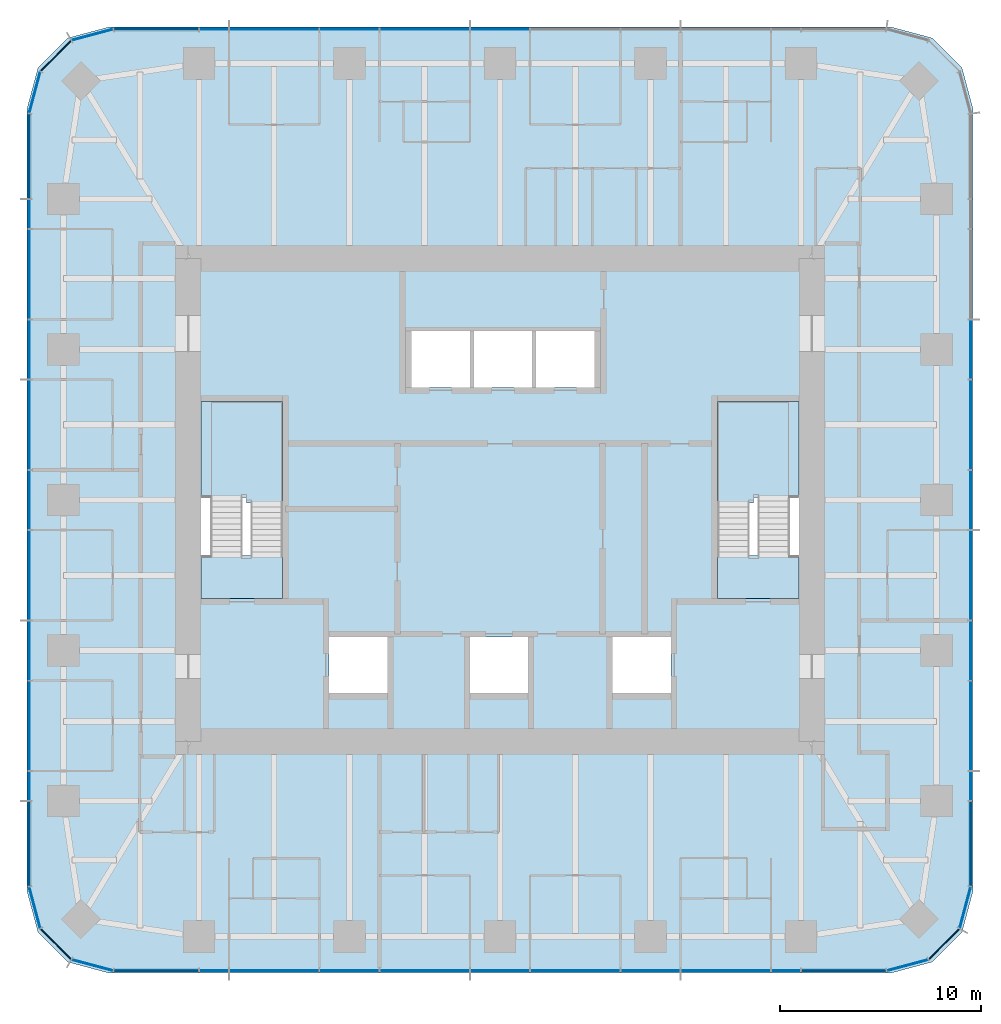
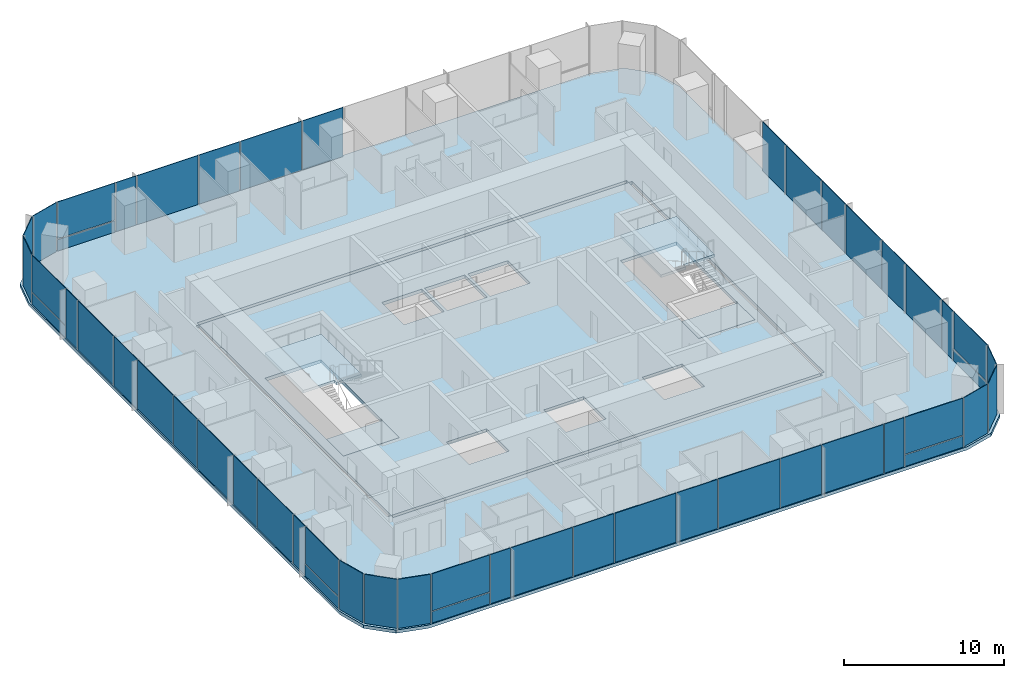
# One storey, part 7 of 12: 51 plates, 6 slabs, 9 elements without a shape of their own.
"""IFC4 building model written with IfcOpenShell, lengths in metres."""

from ifc_helpers import new_model, si_unit, direction, frame, origin, origin_2d, place, context, subcontext, project, spatial, polyline, rectangle, outline, extrude, material, layer, layer_set, type_object, element, aggregate, save


model = new_model("IFC4")

# Units and contexts
model_context = context("Model", 3, precision=1e-05, world=origin(), true_north=direction((0.0, 1.0)))
body_context = subcontext(model_context, "Body", "Model", "MODEL_VIEW")
ifc_project = project(units=[si_unit("LENGTHUNIT", "METRE"), si_unit("AREAUNIT", "SQUARE_METRE"), si_unit("VOLUMEUNIT", "CUBIC_METRE"), si_unit("PLANEANGLEUNIT", "RADIAN"), si_unit("MASSUNIT", "GRAM", prefix="KILO")], contexts=[model_context])

# Site, building, storey
site_placement = place(None, origin())
site = spatial("IfcSite", under=ifc_project, at=site_placement, CompositionType="ELEMENT")
building_placement = place(site_placement, origin())
building = spatial("IfcBuilding", under=site, at=building_placement, Name="Khuree Lantern Residences", CompositionType="ELEMENT")
storey_placement = place(building_placement, frame((0.0, 0.0, 315.75)))
storey = spatial("IfcBuildingStorey", under=building, at=storey_placement, Name="L79", CompositionType="ELEMENT", Elevation=315.75)

# Slab
ifc_material_1 = material(Name="Concrete C35/45", Category="concrete")
ifc_layer_1 = layer(ifc_material_1, 0.25)
ifc_layer_set_1 = layer_set([ifc_layer_1], Name="CFL250 CORE FLOOR SLAB 250")
slab_type_1 = type_object("IfcSlabType", Name="CFL250 CORE FLOOR SLAB 250", PredefinedType="FLOOR", material=ifc_layer_set_1)
slab_1_placement = place(storey_placement, frame((0.0, 0.0, -0.25)))
element("IfcSlab", 1, at=slab_1_placement, inside=storey, type_object=slab_type_1, Name="Core floor L79", PredefinedType="FLOOR", context=body_context, shape_type="SweptSolid", body=[
    extrude(outline(polyline([(-15.5, -12.0), (-15.5, 12.0), (15.5, 12.0), (15.5, -12.0), (-15.5, -12.0)]), holes=[polyline([(10.800048828125, 4.89990234375), (10.800048828125, -4.89990234375), (14.85009765625, -4.89990234375), (14.85009765625, 4.89990234375), (10.800048828125, 4.89990234375)]), polyline([(5.60009765625, -6.800048828125), (5.60009765625, -9.60009765625), (8.5, -9.60009765625), (8.5, -6.800048828125), (5.60009765625, -6.800048828125)]), polyline([(1.800048828125, 8.39990234375), (1.800048828125, 5.60009765625), (4.699951171875, 5.60009765625), (4.699951171875, 8.39990234375), (1.800048828125, 8.39990234375)]), polyline([(-1.300048828125, 8.39990234375), (-1.300048828125, 5.60009765625), (1.60009765625, 5.60009765625), (1.60009765625, 8.39990234375), (-1.300048828125, 8.39990234375)]), polyline([(-1.5, -6.800048828125), (-1.5, -9.60009765625), (1.39990234375, -9.60009765625), (1.39990234375, -6.800048828125), (-1.5, -6.800048828125)]), polyline([(-4.39990234375, 8.39990234375), (-4.39990234375, 5.60009765625), (-1.5, 5.60009765625), (-1.5, 8.39990234375), (-4.39990234375, 8.39990234375)]), polyline([(-8.5, -6.800048828125), (-8.5, -9.60009765625), (-5.60009765625, -9.60009765625), (-5.60009765625, -6.800048828125), (-8.5, -6.800048828125)]), polyline([(-14.85009765625, 4.89990234375), (-14.85009765625, -4.89990234375), (-10.800048828125, -4.89990234375), (-10.800048828125, 4.89990234375), (-14.85009765625, 4.89990234375)])]), origin(), (0.0, 0.0, 1.0), 0.25),
])

# Curtain wall, plates
ifc_material_2 = material(Name="Bronze anodised aluminium", Category="aluminium")
curtain_wall_type_1 = type_object("IfcCurtainWallType", Name="CW-T2 TOWER CORNER CURTAIN WALL", PredefinedType="USERDEFINED", material=ifc_material_2)
curtain_wall_1_placement = place(storey_placement, origin())
curtain_wall_1 = element("IfcCurtainWall", 2, at=curtain_wall_1_placement, inside=storey, type_object=curtain_wall_type_1, Name="L79 SOUTH-EAST CORNER CURTAIN WALL", ObjectType="Faceted corner curtain wall", PredefinedType="USERDEFINED")
ifc_material_3 = material(Name="Bronze tinted triple glazing", Category="glass")
ifc_layer_2 = layer(ifc_material_3, 0.048095703125)
ifc_layer_set_2 = layer_set([ifc_layer_2], Name="FACET PANEL P4")
plate_type_1 = type_object("IfcPlateType", Name="FACET PANEL P4", PredefinedType="CURTAIN_PANEL", material=ifc_layer_set_2)
plate_1_placement = place(storey_placement, frame((20.248046875, -23.119140625, 0.0), z_axis=(0.0, 0.0, 1.0), x_axis=(0.965925861257, 0.2588189146, 0.0)))
plate_1 = element("IfcPlate", 3, at=plate_1_placement, type_object=plate_type_1, Name="L79 SOUTH-EAST CORNER PANEL 1.1", PredefinedType="CURTAIN_PANEL", context=body_context, shape_type="SweptSolid", body=[
    extrude(rectangle(XDim=2.09814453125, YDim=0.048095703125, at=origin_2d()), origin(), (0.0, 0.0, 1.0), 3.75),
])
plate_2_placement = place(storey_placement, frame((22.068603515625, -22.068603515625, 0.0), z_axis=(0.0, 0.0, 1.0), x_axis=(0.707106781187, 0.707106781187, 0.0)))
plate_2 = element("IfcPlate", 4, at=plate_2_placement, type_object=plate_type_1, Name="L79 SOUTH-EAST CORNER PANEL 2.1", PredefinedType="CURTAIN_PANEL", context=body_context, shape_type="SweptSolid", body=[
    extrude(rectangle(XDim=2.093994140625, YDim=0.048095703125, at=origin_2d()), origin(), (0.0, 0.0, 1.0), 3.75),
])
plate_3_placement = place(storey_placement, frame((23.119140625, -20.248046875, 0.0), z_axis=(0.0, 0.0, 1.0), x_axis=(0.2588189146, 0.965925861257, 0.0)))
plate_3 = element("IfcPlate", 5, at=plate_3_placement, type_object=plate_type_1, Name="L79 SOUTH-EAST CORNER PANEL 3.1", PredefinedType="CURTAIN_PANEL", context=body_context, shape_type="SweptSolid", body=[
    extrude(rectangle(XDim=2.09814453125, YDim=0.048095703125, at=origin_2d()), origin(), (0.0, 0.0, 1.0), 3.75),
])
aggregate(curtain_wall_1, [plate_1, plate_2, plate_3])

curtain_wall_2_placement = place(storey_placement, origin())
curtain_wall_2 = element("IfcCurtainWall", 6, at=curtain_wall_2_placement, inside=storey, type_object=curtain_wall_type_1, Name="L79 NORTH-WEST CORNER CURTAIN WALL", ObjectType="Faceted corner curtain wall", PredefinedType="USERDEFINED")
plate_4_placement = place(storey_placement, frame((-20.248046875, 23.119140625, 0.0), z_axis=(0.0, 0.0, 1.0), x_axis=(-0.965925861257, -0.2588189146, 0.0)))
plate_4 = element("IfcPlate", 7, at=plate_4_placement, type_object=plate_type_1, Name="L79 NORTH-WEST CORNER PANEL 29.1", PredefinedType="CURTAIN_PANEL", context=body_context, shape_type="SweptSolid", body=[
    extrude(rectangle(XDim=2.09814453125, YDim=0.048095703125, at=origin_2d()), origin(), (0.0, 0.0, 1.0), 3.75),
])
plate_5_placement = place(storey_placement, frame((-22.068603515625, 22.068603515625, 0.0), z_axis=(0.0, 0.0, 1.0), x_axis=(-0.707106781187, -0.707106781187, 0.0)))
plate_5 = element("IfcPlate", 8, at=plate_5_placement, type_object=plate_type_1, Name="L79 NORTH-WEST CORNER PANEL 30.1", PredefinedType="CURTAIN_PANEL", context=body_context, shape_type="SweptSolid", body=[
    extrude(rectangle(XDim=2.093994140625, YDim=0.048095703125, at=origin_2d()), origin(), (0.0, 0.0, 1.0), 3.75),
])
plate_6_placement = place(storey_placement, frame((-23.119140625, 20.248046875, 0.0), z_axis=(0.0, 0.0, 1.0), x_axis=(-0.2588189146, -0.965925861257, 0.0)))
plate_6 = element("IfcPlate", 9, at=plate_6_placement, type_object=plate_type_1, Name="L79 NORTH-WEST CORNER PANEL 31.1", PredefinedType="CURTAIN_PANEL", context=body_context, shape_type="SweptSolid", body=[
    extrude(rectangle(XDim=2.09814453125, YDim=0.048095703125, at=origin_2d()), origin(), (0.0, 0.0, 1.0), 3.75),
])
aggregate(curtain_wall_2, [plate_4, plate_5, plate_6])

curtain_wall_3_placement = place(storey_placement, origin())
curtain_wall_3 = element("IfcCurtainWall", 10, at=curtain_wall_3_placement, inside=storey, type_object=curtain_wall_type_1, Name="L79 SOUTH-WEST CORNER CURTAIN WALL", ObjectType="Faceted corner curtain wall", PredefinedType="USERDEFINED")
plate_7_placement = place(storey_placement, frame((-23.119140625, -20.248046875, 0.0), z_axis=(0.0, 0.0, 1.0), x_axis=(0.2588189146, -0.965925861257, 0.0)))
plate_7 = element("IfcPlate", 11, at=plate_7_placement, type_object=plate_type_1, Name="L79 SOUTH-WEST CORNER PANEL 43.1", PredefinedType="CURTAIN_PANEL", context=body_context, shape_type="SweptSolid", body=[
    extrude(rectangle(XDim=2.09814453125, YDim=0.048095703125, at=origin_2d()), origin(), (0.0, 0.0, 1.0), 3.75),
])
plate_8_placement = place(storey_placement, frame((-22.068603515625, -22.068603515625, 0.0), z_axis=(0.0, 0.0, 1.0), x_axis=(0.707106781187, -0.707106781187, 0.0)))
plate_8 = element("IfcPlate", 12, at=plate_8_placement, type_object=plate_type_1, Name="L79 SOUTH-WEST CORNER PANEL 44.1", PredefinedType="CURTAIN_PANEL", context=body_context, shape_type="SweptSolid", body=[
    extrude(rectangle(XDim=2.093994140625, YDim=0.048095703125, at=origin_2d()), origin(), (0.0, 0.0, 1.0), 3.75),
])
plate_9_placement = place(storey_placement, frame((-20.248046875, -23.119140625, 0.0), z_axis=(0.0, 0.0, 1.0), x_axis=(0.965925861257, -0.2588189146, 0.0)))
plate_9 = element("IfcPlate", 13, at=plate_9_placement, type_object=plate_type_1, Name="L79 SOUTH-WEST CORNER PANEL 45.1", PredefinedType="CURTAIN_PANEL", context=body_context, shape_type="SweptSolid", body=[
    extrude(rectangle(XDim=2.09814453125, YDim=0.048095703125, at=origin_2d()), origin(), (0.0, 0.0, 1.0), 3.75),
])
aggregate(curtain_wall_3, [plate_7, plate_8, plate_9])

curtain_wall_type_2 = type_object("IfcCurtainWallType", Name="CW-T1 TOWER FACE CURTAIN WALL", PredefinedType="USERDEFINED", material=ifc_material_2)
curtain_wall_4_placement = place(storey_placement, origin())
curtain_wall_4 = element("IfcCurtainWall", 14, at=curtain_wall_4_placement, inside=storey, type_object=curtain_wall_type_2, Name="L79 EAST FACE CURTAIN WALL", ObjectType="Stick-built curtain wall", PredefinedType="USERDEFINED")
ifc_material_4 = material(Name="Bronze tinted triple glazing with a ceramic-fritted spandrel band", Category="glass")
ifc_layer_3 = layer(ifc_material_4, 0.048095703125)
ifc_layer_set_3 = layer_set([ifc_layer_3], Name="FIXED LIGHT PANEL P11")
plate_type_2 = type_object("IfcPlateType", Name="FIXED LIGHT PANEL P11", PredefinedType="CURTAIN_PANEL", material=ifc_layer_set_3)
plate_10_placement = place(storey_placement, frame((23.39990234375, -11.219970703125, 0.0), z_axis=(0.0, 0.0, 1.0), x_axis=(0.0, 1.0, 0.0)))
plate_10 = element("IfcPlate", 15, at=plate_10_placement, type_object=plate_type_2, Name="L79 EAST FACE PANEL 6.1", PredefinedType="CURTAIN_PANEL", context=body_context, shape_type="SweptSolid", body=[
    extrude(rectangle(XDim=4.423095703125, YDim=0.048095703125, at=origin_2d()), origin(), (0.0, 0.0, 1.0), 3.75),
])
plate_11_placement = place(storey_placement, frame((23.39990234375, -3.739990234375, 0.0), z_axis=(0.0, 0.0, 1.0), x_axis=(0.0, 1.0, 0.0)))
plate_11 = element("IfcPlate", 16, at=plate_11_placement, type_object=plate_type_2, Name="L79 EAST FACE PANEL 8.1", PredefinedType="CURTAIN_PANEL", context=body_context, shape_type="SweptSolid", body=[
    extrude(rectangle(XDim=4.423095703125, YDim=0.048095703125, at=origin_2d()), origin(), (0.0, 0.0, 1.0), 3.75),
])
plate_12_placement = place(storey_placement, frame((23.39990234375, 3.739990234375, 0.0), z_axis=(0.0, 0.0, 1.0), x_axis=(0.0, 1.0, 0.0)))
plate_12 = element("IfcPlate", 17, at=plate_12_placement, type_object=plate_type_2, Name="L79 EAST FACE PANEL 10.1", PredefinedType="CURTAIN_PANEL", context=body_context, shape_type="SweptSolid", body=[
    extrude(rectangle(XDim=4.423095703125, YDim=0.048095703125, at=origin_2d()), origin(), (0.0, 0.0, 1.0), 3.75),
])

curtain_wall_5_placement = place(storey_placement, origin())
curtain_wall_5 = element("IfcCurtainWall", 18, at=curtain_wall_5_placement, inside=storey, type_object=curtain_wall_type_2, Name="L79 NORTH FACE CURTAIN WALL", ObjectType="Stick-built curtain wall", PredefinedType="USERDEFINED")
plate_13_placement = place(storey_placement, frame((-3.739990234375, 23.39990234375, 0.0), z_axis=(0.0, 0.0, 1.0), x_axis=(-1.0, 0.0, 0.0)))
plate_13 = element("IfcPlate", 19, at=plate_13_placement, type_object=plate_type_2, Name="L79 NORTH FACE PANEL 24.1", PredefinedType="CURTAIN_PANEL", context=body_context, shape_type="SweptSolid", body=[
    extrude(rectangle(XDim=4.423095703125, YDim=0.048095703125, at=origin_2d()), origin(), (0.0, 0.0, 1.0), 3.75),
])
plate_14_placement = place(storey_placement, frame((-11.219970703125, 23.39990234375, 0.0), z_axis=(0.0, 0.0, 1.0), x_axis=(-1.0, 0.0, 0.0)))
plate_14 = element("IfcPlate", 20, at=plate_14_placement, type_object=plate_type_2, Name="L79 NORTH FACE PANEL 26.1", PredefinedType="CURTAIN_PANEL", context=body_context, shape_type="SweptSolid", body=[
    extrude(rectangle(XDim=4.423095703125, YDim=0.048095703125, at=origin_2d()), origin(), (0.0, 0.0, 1.0), 3.75),
])

curtain_wall_6_placement = place(storey_placement, origin())
curtain_wall_6 = element("IfcCurtainWall", 21, at=curtain_wall_6_placement, inside=storey, type_object=curtain_wall_type_2, Name="L79 WEST FACE CURTAIN WALL", ObjectType="Stick-built curtain wall", PredefinedType="USERDEFINED")
plate_15_placement = place(storey_placement, frame((-23.39990234375, 11.219970703125, 0.0), z_axis=(0.0, 0.0, 1.0), x_axis=(0.0, -1.0, 0.0)))
plate_15 = element("IfcPlate", 22, at=plate_15_placement, type_object=plate_type_2, Name="L79 WEST FACE PANEL 34.1", PredefinedType="CURTAIN_PANEL", context=body_context, shape_type="SweptSolid", body=[
    extrude(rectangle(XDim=4.423095703125, YDim=0.048095703125, at=origin_2d()), origin(), (0.0, 0.0, 1.0), 3.75),
])
plate_16_placement = place(storey_placement, frame((-23.39990234375, 3.739990234375, 0.0), z_axis=(0.0, 0.0, 1.0), x_axis=(0.0, -1.0, 0.0)))
plate_16 = element("IfcPlate", 23, at=plate_16_placement, type_object=plate_type_2, Name="L79 WEST FACE PANEL 36.1", PredefinedType="CURTAIN_PANEL", context=body_context, shape_type="SweptSolid", body=[
    extrude(rectangle(XDim=4.423095703125, YDim=0.048095703125, at=origin_2d()), origin(), (0.0, 0.0, 1.0), 3.75),
])
plate_17_placement = place(storey_placement, frame((-23.39990234375, -3.739990234375, 0.0), z_axis=(0.0, 0.0, 1.0), x_axis=(0.0, -1.0, 0.0)))
plate_17 = element("IfcPlate", 24, at=plate_17_placement, type_object=plate_type_2, Name="L79 WEST FACE PANEL 38.1", PredefinedType="CURTAIN_PANEL", context=body_context, shape_type="SweptSolid", body=[
    extrude(rectangle(XDim=4.423095703125, YDim=0.048095703125, at=origin_2d()), origin(), (0.0, 0.0, 1.0), 3.75),
])
plate_18_placement = place(storey_placement, frame((-23.39990234375, -11.219970703125, 0.0), z_axis=(0.0, 0.0, 1.0), x_axis=(0.0, -1.0, 0.0)))
plate_18 = element("IfcPlate", 25, at=plate_18_placement, type_object=plate_type_2, Name="L79 WEST FACE PANEL 40.1", PredefinedType="CURTAIN_PANEL", context=body_context, shape_type="SweptSolid", body=[
    extrude(rectangle(XDim=4.423095703125, YDim=0.048095703125, at=origin_2d()), origin(), (0.0, 0.0, 1.0), 3.75),
])

curtain_wall_7_placement = place(storey_placement, origin())
curtain_wall_7 = element("IfcCurtainWall", 26, at=curtain_wall_7_placement, inside=storey, type_object=curtain_wall_type_2, Name="L79 SOUTH FACE CURTAIN WALL", ObjectType="Stick-built curtain wall", PredefinedType="USERDEFINED")
plate_19_placement = place(storey_placement, frame((-11.219970703125, -23.39990234375, 0.0), z_axis=(0.0, 0.0, 1.0), x_axis=(1.0, 0.0, 0.0)))
plate_19 = element("IfcPlate", 27, at=plate_19_placement, type_object=plate_type_2, Name="L79 SOUTH FACE PANEL 48.1", PredefinedType="CURTAIN_PANEL", context=body_context, shape_type="SweptSolid", body=[
    extrude(rectangle(XDim=4.423095703125, YDim=0.048095703125, at=origin_2d()), origin(), (0.0, 0.0, 1.0), 3.75),
])
plate_20_placement = place(storey_placement, frame((-3.739990234375, -23.39990234375, 0.0), z_axis=(0.0, 0.0, 1.0), x_axis=(1.0, 0.0, 0.0)))
plate_20 = element("IfcPlate", 28, at=plate_20_placement, type_object=plate_type_2, Name="L79 SOUTH FACE PANEL 50.1", PredefinedType="CURTAIN_PANEL", context=body_context, shape_type="SweptSolid", body=[
    extrude(rectangle(XDim=4.423095703125, YDim=0.048095703125, at=origin_2d()), origin(), (0.0, 0.0, 1.0), 3.75),
])
plate_21_placement = place(storey_placement, frame((3.739990234375, -23.39990234375, 0.0), z_axis=(0.0, 0.0, 1.0), x_axis=(1.0, 0.0, 0.0)))
plate_21 = element("IfcPlate", 29, at=plate_21_placement, type_object=plate_type_2, Name="L79 SOUTH FACE PANEL 52.1", PredefinedType="CURTAIN_PANEL", context=body_context, shape_type="SweptSolid", body=[
    extrude(rectangle(XDim=4.423095703125, YDim=0.048095703125, at=origin_2d()), origin(), (0.0, 0.0, 1.0), 3.75),
])
plate_22_placement = place(storey_placement, frame((11.219970703125, -23.39990234375, 0.0), z_axis=(0.0, 0.0, 1.0), x_axis=(1.0, 0.0, 0.0)))
plate_22 = element("IfcPlate", 30, at=plate_22_placement, type_object=plate_type_2, Name="L79 SOUTH FACE PANEL 54.1", PredefinedType="CURTAIN_PANEL", context=body_context, shape_type="SweptSolid", body=[
    extrude(rectangle(XDim=4.423095703125, YDim=0.048095703125, at=origin_2d()), origin(), (0.0, 0.0, 1.0), 3.75),
])

# Slab
ifc_layer_4 = layer(ifc_material_1, 0.25)
ifc_layer_set_4 = layer_set([ifc_layer_4], Name="FS250 FLOOR SLAB 250")
slab_type_2 = type_object("IfcSlabType", Name="FS250 FLOOR SLAB 250", PredefinedType="FLOOR", material=ifc_layer_set_4)
slab_2_placement = place(storey_placement, frame((0.0, 0.0, -0.25)))
element("IfcSlab", 31, at=slab_2_placement, inside=storey, type_object=slab_type_2, Name="Floor slab L79", PredefinedType="FLOOR", context=body_context, shape_type="SweptSolid", body=[
    extrude(outline(polyline([(-21.47509765625, -22.95751953125), (-22.95751953125, -21.47509765625), (-23.5, -19.449951171875), (-23.5, 19.449951171875), (-22.95751953125, 21.47509765625), (-21.47509765625, 22.95751953125), (-19.449951171875, 23.5), (19.449951171875, 23.5), (21.47509765625, 22.95751953125), (22.95751953125, 21.47509765625), (23.5, 19.449951171875), (23.5, -19.449951171875), (22.95751953125, -21.47509765625), (21.47509765625, -22.95751953125), (19.449951171875, -23.5), (-19.449951171875, -23.5), (-21.47509765625, -22.95751953125)]), holes=[polyline([(15.75, 12.0), (15.5, 12.0), (15.5, 12.25), (-15.5, 12.25), (-15.5, 12.0), (-15.75, 12.0), (-15.75, -12.0), (-15.5, -12.0), (-15.5, -12.25), (15.5, -12.25), (15.5, -12.0), (15.75, -12.0), (15.75, 12.0)])]), origin(), (0.0, 0.0, 1.0), 0.25),
])

# Plate
ifc_material_5 = material(Name="Bronze tinted triple glazing, two aluminium-framed sashes in one frame", Category="aluminium")
ifc_layer_5 = layer(ifc_material_5, 0.048095703125)
ifc_layer_set_5 = layer_set([ifc_layer_5], Name="SASH PAIR PANEL P12")
plate_type_3 = type_object("IfcPlateType", Name="SASH PAIR PANEL P12", PredefinedType="CURTAIN_PANEL", material=ifc_layer_set_5)
plate_23_placement = place(storey_placement, frame((23.39990234375, -7.47998046875, 0.0), z_axis=(0.0, 0.0, 1.0), x_axis=(0.0, 1.0, 0.0)))
plate_23 = element("IfcPlate", 32, at=plate_23_placement, type_object=plate_type_3, Name="L79 EAST FACE PANEL 7.1", PredefinedType="CURTAIN_PANEL", context=body_context, shape_type="SweptSolid", body=[
    extrude(rectangle(XDim=2.927001953125, YDim=0.048095703125, at=origin_2d()), origin(), (0.0, 0.0, 1.0), 3.75),
])

plate_24_placement = place(storey_placement, frame((23.39990234375, 0.0, 0.0), z_axis=(0.0, 0.0, 1.0), x_axis=(0.0, 1.0, 0.0)))
plate_24 = element("IfcPlate", 33, at=plate_24_placement, type_object=plate_type_3, Name="L79 EAST FACE PANEL 9.1", PredefinedType="CURTAIN_PANEL", context=body_context, shape_type="SweptSolid", body=[
    extrude(rectangle(XDim=2.927001953125, YDim=0.048095703125, at=origin_2d()), origin(), (0.0, 0.0, 1.0), 3.75),
])

plate_25_placement = place(storey_placement, frame((23.39990234375, 7.47998046875, 0.0), z_axis=(0.0, 0.0, 1.0), x_axis=(0.0, 1.0, 0.0)))
plate_25 = element("IfcPlate", 34, at=plate_25_placement, type_object=plate_type_3, Name="L79 EAST FACE PANEL 11.1", PredefinedType="CURTAIN_PANEL", context=body_context, shape_type="SweptSolid", body=[
    extrude(rectangle(XDim=2.927001953125, YDim=0.048095703125, at=origin_2d()), origin(), (0.0, 0.0, 1.0), 3.75),
])

plate_26_placement = place(storey_placement, frame((0.0, 23.39990234375, 0.0), z_axis=(0.0, 0.0, 1.0), x_axis=(-1.0, 0.0, 0.0)))
plate_26 = element("IfcPlate", 35, at=plate_26_placement, type_object=plate_type_3, Name="L79 NORTH FACE PANEL 23.1", PredefinedType="CURTAIN_PANEL", context=body_context, shape_type="SweptSolid", body=[
    extrude(rectangle(XDim=2.927001953125, YDim=0.048095703125, at=origin_2d()), origin(), (0.0, 0.0, 1.0), 3.75),
])

plate_27_placement = place(storey_placement, frame((-7.47998046875, 23.39990234375, 0.0), z_axis=(0.0, 0.0, 1.0), x_axis=(-1.0, 0.0, 0.0)))
plate_27 = element("IfcPlate", 36, at=plate_27_placement, type_object=plate_type_3, Name="L79 NORTH FACE PANEL 25.1", PredefinedType="CURTAIN_PANEL", context=body_context, shape_type="SweptSolid", body=[
    extrude(rectangle(XDim=2.927001953125, YDim=0.048095703125, at=origin_2d()), origin(), (0.0, 0.0, 1.0), 3.75),
])

plate_28_placement = place(storey_placement, frame((-23.39990234375, 7.47998046875, 0.0), z_axis=(0.0, 0.0, 1.0), x_axis=(0.0, -1.0, 0.0)))
plate_28 = element("IfcPlate", 37, at=plate_28_placement, type_object=plate_type_3, Name="L79 WEST FACE PANEL 35.1", PredefinedType="CURTAIN_PANEL", context=body_context, shape_type="SweptSolid", body=[
    extrude(rectangle(XDim=2.927001953125, YDim=0.048095703125, at=origin_2d()), origin(), (0.0, 0.0, 1.0), 3.75),
])

plate_29_placement = place(storey_placement, frame((-23.39990234375, 0.0, 0.0), z_axis=(0.0, 0.0, 1.0), x_axis=(0.0, -1.0, 0.0)))
plate_29 = element("IfcPlate", 38, at=plate_29_placement, type_object=plate_type_3, Name="L79 WEST FACE PANEL 37.1", PredefinedType="CURTAIN_PANEL", context=body_context, shape_type="SweptSolid", body=[
    extrude(rectangle(XDim=2.927001953125, YDim=0.048095703125, at=origin_2d()), origin(), (0.0, 0.0, 1.0), 3.75),
])

plate_30_placement = place(storey_placement, frame((-23.39990234375, -7.47998046875, 0.0), z_axis=(0.0, 0.0, 1.0), x_axis=(0.0, -1.0, 0.0)))
plate_30 = element("IfcPlate", 39, at=plate_30_placement, type_object=plate_type_3, Name="L79 WEST FACE PANEL 39.1", PredefinedType="CURTAIN_PANEL", context=body_context, shape_type="SweptSolid", body=[
    extrude(rectangle(XDim=2.927001953125, YDim=0.048095703125, at=origin_2d()), origin(), (0.0, 0.0, 1.0), 3.75),
])

plate_31_placement = place(storey_placement, frame((-7.47998046875, -23.39990234375, 0.0), z_axis=(0.0, 0.0, 1.0), x_axis=(1.0, 0.0, 0.0)))
plate_31 = element("IfcPlate", 40, at=plate_31_placement, type_object=plate_type_3, Name="L79 SOUTH FACE PANEL 49.1", PredefinedType="CURTAIN_PANEL", context=body_context, shape_type="SweptSolid", body=[
    extrude(rectangle(XDim=2.927001953125, YDim=0.048095703125, at=origin_2d()), origin(), (0.0, 0.0, 1.0), 3.75),
])

plate_32_placement = place(storey_placement, frame((0.0, -23.39990234375, 0.0), z_axis=(0.0, 0.0, 1.0), x_axis=(1.0, 0.0, 0.0)))
plate_32 = element("IfcPlate", 41, at=plate_32_placement, type_object=plate_type_3, Name="L79 SOUTH FACE PANEL 51.1", PredefinedType="CURTAIN_PANEL", context=body_context, shape_type="SweptSolid", body=[
    extrude(rectangle(XDim=2.927001953125, YDim=0.048095703125, at=origin_2d()), origin(), (0.0, 0.0, 1.0), 3.75),
])

plate_33_placement = place(storey_placement, frame((7.47998046875, -23.39990234375, 0.0), z_axis=(0.0, 0.0, 1.0), x_axis=(1.0, 0.0, 0.0)))
plate_33 = element("IfcPlate", 42, at=plate_33_placement, type_object=plate_type_3, Name="L79 SOUTH FACE PANEL 53.1", PredefinedType="CURTAIN_PANEL", context=body_context, shape_type="SweptSolid", body=[
    extrude(rectangle(XDim=2.927001953125, YDim=0.048095703125, at=origin_2d()), origin(), (0.0, 0.0, 1.0), 3.75),
])

ifc_material_6 = material(Name="Bronze tinted triple glazing, aluminium-framed sash", Category="aluminium")
ifc_layer_6 = layer(ifc_material_6, 0.048095703125)
ifc_layer_set_6 = layer_set([ifc_layer_6], Name="SASH PANEL P3")
plate_type_4 = type_object("IfcPlateType", Name="SASH PANEL P3", PredefinedType="CURTAIN_PANEL", material=ifc_layer_set_6)
plate_34_placement = place(storey_placement, frame((23.39990234375, -14.2119140625, 0.0), z_axis=(0.0, 0.0, 1.0), x_axis=(0.0, 1.0, 0.0)))
plate_34 = element("IfcPlate", 43, at=plate_34_placement, type_object=plate_type_4, Name="L79 EAST FACE PANEL 5.1", PredefinedType="CURTAIN_PANEL", context=body_context, shape_type="SweptSolid", body=[
    extrude(rectangle(XDim=1.430908203125, YDim=0.048095703125, at=origin_2d()), origin(), (0.0, 0.0, 1.0), 3.75),
])

plate_35_placement = place(storey_placement, frame((-14.2119140625, 23.39990234375, 0.0), z_axis=(0.0, 0.0, 1.0), x_axis=(-1.0, 0.0, 0.0)))
plate_35 = element("IfcPlate", 44, at=plate_35_placement, type_object=plate_type_4, Name="L79 NORTH FACE PANEL 27.1", PredefinedType="CURTAIN_PANEL", context=body_context, shape_type="SweptSolid", body=[
    extrude(rectangle(XDim=1.430908203125, YDim=0.048095703125, at=origin_2d()), origin(), (0.0, 0.0, 1.0), 3.75),
])

plate_36_placement = place(storey_placement, frame((-23.39990234375, 14.2119140625, 0.0), z_axis=(0.0, 0.0, 1.0), x_axis=(0.0, -1.0, 0.0)))
plate_36 = element("IfcPlate", 45, at=plate_36_placement, type_object=plate_type_4, Name="L79 WEST FACE PANEL 33.1", PredefinedType="CURTAIN_PANEL", context=body_context, shape_type="SweptSolid", body=[
    extrude(rectangle(XDim=1.430908203125, YDim=0.048095703125, at=origin_2d()), origin(), (0.0, 0.0, 1.0), 3.75),
])

plate_37_placement = place(storey_placement, frame((-23.39990234375, -14.2119140625, 0.0), z_axis=(0.0, 0.0, 1.0), x_axis=(0.0, -1.0, 0.0)))
plate_37 = element("IfcPlate", 46, at=plate_37_placement, type_object=plate_type_4, Name="L79 WEST FACE PANEL 41.1", PredefinedType="CURTAIN_PANEL", context=body_context, shape_type="SweptSolid", body=[
    extrude(rectangle(XDim=1.430908203125, YDim=0.048095703125, at=origin_2d()), origin(), (0.0, 0.0, 1.0), 3.75),
])

plate_38_placement = place(storey_placement, frame((-14.2119140625, -23.39990234375, 0.0), z_axis=(0.0, 0.0, 1.0), x_axis=(1.0, 0.0, 0.0)))
plate_38 = element("IfcPlate", 47, at=plate_38_placement, type_object=plate_type_4, Name="L79 SOUTH FACE PANEL 47.1", PredefinedType="CURTAIN_PANEL", context=body_context, shape_type="SweptSolid", body=[
    extrude(rectangle(XDim=1.430908203125, YDim=0.048095703125, at=origin_2d()), origin(), (0.0, 0.0, 1.0), 3.75),
])

plate_39_placement = place(storey_placement, frame((14.2119140625, -23.39990234375, 0.0), z_axis=(0.0, 0.0, 1.0), x_axis=(1.0, 0.0, 0.0)))
plate_39 = element("IfcPlate", 48, at=plate_39_placement, type_object=plate_type_4, Name="L79 SOUTH FACE PANEL 55.1", PredefinedType="CURTAIN_PANEL", context=body_context, shape_type="SweptSolid", body=[
    extrude(rectangle(XDim=1.430908203125, YDim=0.048095703125, at=origin_2d()), origin(), (0.0, 0.0, 1.0), 3.75),
])

ifc_material_7 = material(Name="Bronze anodised aluminium insulated spandrel", Category="aluminium")
ifc_layer_7 = layer(ifc_material_7, 0.06005859375)
ifc_layer_set_7 = layer_set([ifc_layer_7], Name="SPANDREL PANEL P2")
plate_type_5 = type_object("IfcPlateType", Name="SPANDREL PANEL P2", PredefinedType="CURTAIN_PANEL", material=ifc_layer_set_7)
plate_40_placement = place(storey_placement, frame((23.39990234375, -17.077880859375, 0.0), z_axis=(0.0, 0.0, 1.0), x_axis=(0.0, 1.0, 0.0)))
plate_40 = element("IfcPlate", 49, at=plate_40_placement, type_object=plate_type_5, Name="L79 EAST FACE PANEL 4.1", PredefinedType="CURTAIN_PANEL", context=body_context, shape_type="SweptSolid", body=[
    extrude(rectangle(XDim=4.170654296875, YDim=0.06005859375, at=origin_2d()), origin(), (0.0, 0.0, 1.0), 0.867431640625),
])

plate_41_placement = place(storey_placement, frame((-17.077880859375, 23.39990234375, 0.0), z_axis=(0.0, 0.0, 1.0), x_axis=(-1.0, 0.0, 0.0)))
plate_41 = element("IfcPlate", 50, at=plate_41_placement, type_object=plate_type_5, Name="L79 NORTH FACE PANEL 28.1", PredefinedType="CURTAIN_PANEL", context=body_context, shape_type="SweptSolid", body=[
    extrude(rectangle(XDim=4.170654296875, YDim=0.06005859375, at=origin_2d()), origin(), (0.0, 0.0, 1.0), 0.867431640625),
])

plate_42_placement = place(storey_placement, frame((-23.39990234375, 17.077880859375, 0.0), z_axis=(0.0, 0.0, 1.0), x_axis=(0.0, -1.0, 0.0)))
plate_42 = element("IfcPlate", 51, at=plate_42_placement, type_object=plate_type_5, Name="L79 WEST FACE PANEL 32.1", PredefinedType="CURTAIN_PANEL", context=body_context, shape_type="SweptSolid", body=[
    extrude(rectangle(XDim=4.170654296875, YDim=0.06005859375, at=origin_2d()), origin(), (0.0, 0.0, 1.0), 0.867431640625),
])

plate_43_placement = place(storey_placement, frame((-23.39990234375, -17.077880859375, 0.0), z_axis=(0.0, 0.0, 1.0), x_axis=(0.0, -1.0, 0.0)))
plate_43 = element("IfcPlate", 52, at=plate_43_placement, type_object=plate_type_5, Name="L79 WEST FACE PANEL 42.1", PredefinedType="CURTAIN_PANEL", context=body_context, shape_type="SweptSolid", body=[
    extrude(rectangle(XDim=4.170654296875, YDim=0.06005859375, at=origin_2d()), origin(), (0.0, 0.0, 1.0), 0.867431640625),
])

plate_44_placement = place(storey_placement, frame((-17.077880859375, -23.39990234375, 0.0), z_axis=(0.0, 0.0, 1.0), x_axis=(1.0, 0.0, 0.0)))
plate_44 = element("IfcPlate", 53, at=plate_44_placement, type_object=plate_type_5, Name="L79 SOUTH FACE PANEL 46.1", PredefinedType="CURTAIN_PANEL", context=body_context, shape_type="SweptSolid", body=[
    extrude(rectangle(XDim=4.170654296875, YDim=0.06005859375, at=origin_2d()), origin(), (0.0, 0.0, 1.0), 0.867431640625),
])

plate_45_placement = place(storey_placement, frame((17.077880859375, -23.39990234375, 0.0), z_axis=(0.0, 0.0, 1.0), x_axis=(1.0, 0.0, 0.0)))
plate_45 = element("IfcPlate", 54, at=plate_45_placement, type_object=plate_type_5, Name="L79 SOUTH FACE PANEL 56.1", PredefinedType="CURTAIN_PANEL", context=body_context, shape_type="SweptSolid", body=[
    extrude(rectangle(XDim=4.170654296875, YDim=0.06005859375, at=origin_2d()), origin(), (0.0, 0.0, 1.0), 0.867431640625),
])

# Stair, slabs
ifc_material_8 = material(Name="Concrete C40/50", Category="concrete")
stair_type = type_object("IfcStairType", Name="STAIR ST1 HALF TURN 3600", PredefinedType="HALF_TURN_STAIR", material=ifc_material_8)
stair_1_placement = place(storey_placement, origin())
stair_1 = element("IfcStair", 55, at=stair_1_placement, inside=storey, type_object=stair_type, Name="Stair ST1", PredefinedType="HALF_TURN_STAIR")
ifc_layer_8 = layer(ifc_material_8, 0.199951171875)
ifc_layer_set_8 = layer_set([ifc_layer_8], Name="STAIR LANDING SL1 200")
slab_type_3 = type_object("IfcSlabType", Name="STAIR LANDING SL1 200", PredefinedType="LANDING", material=ifc_layer_set_8)
slab_3_placement = place(storey_placement, frame((0.0, 0.0, -0.199951171875)))
slab_3 = element("IfcSlab", 56, at=slab_3_placement, type_object=slab_type_3, Name="ST1 landing 1", PredefinedType="LANDING", context=body_context, shape_type="SweptSolid", body=[
    extrude(outline(polyline([(-14.85009765625, -4.89990234375), (-10.800048828125, -4.89990234375), (-10.800048828125, -2.760009765625), (-14.85009765625, -2.760009765625), (-14.85009765625, -4.89990234375)])), origin(), (0.0, 0.0, 1.0), 0.199951171875),
])
slab_4_placement = place(storey_placement, frame((0.0, 0.0, 1.756591796875)))
slab_4 = element("IfcSlab", 57, at=slab_4_placement, type_object=slab_type_3, Name="ST1 landing 2", PredefinedType="LANDING", context=body_context, shape_type="SweptSolid", body=[
    extrude(outline(polyline([(-14.85009765625, 0.1201171875), (-14.85009765625, 4.89990234375), (-10.800048828125, 4.89990234375), (-10.800048828125, -0.159912109375), (-12.60009765625, -0.159912109375), (-12.60009765625, 0.1201171875), (-14.85009765625, 0.1201171875)])), origin(), (0.0, 0.0, 1.0), 0.199951171875),
])
aggregate(stair_1, [slab_3, slab_4])

stair_2_placement = place(storey_placement, origin())
stair_2 = element("IfcStair", 58, at=stair_2_placement, inside=storey, type_object=stair_type, Name="Stair ST2", PredefinedType="HALF_TURN_STAIR")
slab_5_placement = place(storey_placement, frame((0.0, 0.0, -0.199951171875)))
slab_5 = element("IfcSlab", 59, at=slab_5_placement, type_object=slab_type_3, Name="ST2 landing 1", PredefinedType="LANDING", context=body_context, shape_type="SweptSolid", body=[
    extrude(outline(polyline([(10.800048828125, -4.89990234375), (14.85009765625, -4.89990234375), (14.85009765625, -2.760009765625), (10.800048828125, -2.760009765625), (10.800048828125, -4.89990234375)])), origin(), (0.0, 0.0, 1.0), 0.199951171875),
])
slab_6_placement = place(storey_placement, frame((0.0, 0.0, 1.756591796875)))
slab_6 = element("IfcSlab", 60, at=slab_6_placement, type_object=slab_type_3, Name="ST2 landing 2", PredefinedType="LANDING", context=body_context, shape_type="SweptSolid", body=[
    extrude(outline(polyline([(14.85009765625, 4.89990234375), (14.85009765625, 0.1201171875), (12.60009765625, 0.1201171875), (12.60009765625, -0.159912109375), (10.800048828125, -0.159912109375), (10.800048828125, 4.89990234375), (14.85009765625, 4.89990234375)])), origin(), (0.0, 0.0, 1.0), 0.199951171875),
])
aggregate(stair_2, [slab_5, slab_6])

# Plate
ifc_layer_9 = layer(ifc_material_3, 0.048095703125)
ifc_layer_set_9 = layer_set([ifc_layer_9], Name="VISION PANEL P1")
plate_type_6 = type_object("IfcPlateType", Name="VISION PANEL P1", PredefinedType="CURTAIN_PANEL", material=ifc_layer_set_9)
plate_46_placement = place(storey_placement, frame((23.39990234375, -17.078369140625, 0.9326171875), z_axis=(0.0, 0.0, 1.0), x_axis=(0.0, 1.0, 0.0)))
plate_46 = element("IfcPlate", 61, at=plate_46_placement, type_object=plate_type_6, Name="L79 EAST FACE PANEL 4.2", PredefinedType="CURTAIN_PANEL", context=body_context, shape_type="SweptSolid", body=[
    extrude(rectangle(XDim=4.171630859375, YDim=0.048095703125, at=origin_2d()), origin(), (0.0, 0.0, 1.0), 2.8173828125),
])

aggregate(curtain_wall_4, [plate_40, plate_46, plate_34, plate_10, plate_23, plate_11, plate_24, plate_12, plate_25])

plate_47_placement = place(storey_placement, frame((-17.078369140625, 23.39990234375, 0.9326171875), z_axis=(0.0, 0.0, 1.0), x_axis=(-1.0, 0.0, 0.0)))
plate_47 = element("IfcPlate", 62, at=plate_47_placement, type_object=plate_type_6, Name="L79 NORTH FACE PANEL 28.2", PredefinedType="CURTAIN_PANEL", context=body_context, shape_type="SweptSolid", body=[
    extrude(rectangle(XDim=4.171630859375, YDim=0.048095703125, at=origin_2d()), origin(), (0.0, 0.0, 1.0), 2.8173828125),
])

aggregate(curtain_wall_5, [plate_26, plate_13, plate_27, plate_14, plate_35, plate_41, plate_47])

plate_48_placement = place(storey_placement, frame((-23.39990234375, 17.078369140625, 0.9326171875), z_axis=(0.0, 0.0, 1.0), x_axis=(0.0, -1.0, 0.0)))
plate_48 = element("IfcPlate", 63, at=plate_48_placement, type_object=plate_type_6, Name="L79 WEST FACE PANEL 32.2", PredefinedType="CURTAIN_PANEL", context=body_context, shape_type="SweptSolid", body=[
    extrude(rectangle(XDim=4.171630859375, YDim=0.048095703125, at=origin_2d()), origin(), (0.0, 0.0, 1.0), 2.8173828125),
])

plate_49_placement = place(storey_placement, frame((-23.39990234375, -17.078369140625, 0.9326171875), z_axis=(0.0, 0.0, 1.0), x_axis=(0.0, -1.0, 0.0)))
plate_49 = element("IfcPlate", 64, at=plate_49_placement, type_object=plate_type_6, Name="L79 WEST FACE PANEL 42.2", PredefinedType="CURTAIN_PANEL", context=body_context, shape_type="SweptSolid", body=[
    extrude(rectangle(XDim=4.171630859375, YDim=0.048095703125, at=origin_2d()), origin(), (0.0, 0.0, 1.0), 2.8173828125),
])

aggregate(curtain_wall_6, [plate_42, plate_48, plate_36, plate_15, plate_28, plate_16, plate_29, plate_17, plate_30, plate_18, plate_37, plate_43, plate_49])

plate_50_placement = place(storey_placement, frame((-17.078369140625, -23.39990234375, 0.9326171875), z_axis=(0.0, 0.0, 1.0), x_axis=(1.0, 0.0, 0.0)))
plate_50 = element("IfcPlate", 65, at=plate_50_placement, type_object=plate_type_6, Name="L79 SOUTH FACE PANEL 46.2", PredefinedType="CURTAIN_PANEL", context=body_context, shape_type="SweptSolid", body=[
    extrude(rectangle(XDim=4.171630859375, YDim=0.048095703125, at=origin_2d()), origin(), (0.0, 0.0, 1.0), 2.8173828125),
])

plate_51_placement = place(storey_placement, frame((17.078369140625, -23.39990234375, 0.9326171875), z_axis=(0.0, 0.0, 1.0), x_axis=(1.0, 0.0, 0.0)))
plate_51 = element("IfcPlate", 66, at=plate_51_placement, type_object=plate_type_6, Name="L79 SOUTH FACE PANEL 56.2", PredefinedType="CURTAIN_PANEL", context=body_context, shape_type="SweptSolid", body=[
    extrude(rectangle(XDim=4.171630859375, YDim=0.048095703125, at=origin_2d()), origin(), (0.0, 0.0, 1.0), 2.8173828125),
])

aggregate(curtain_wall_7, [plate_44, plate_50, plate_38, plate_19, plate_31, plate_20, plate_32, plate_21, plate_33, plate_22, plate_39, plate_45, plate_51])

save(model, "model.ifc")
